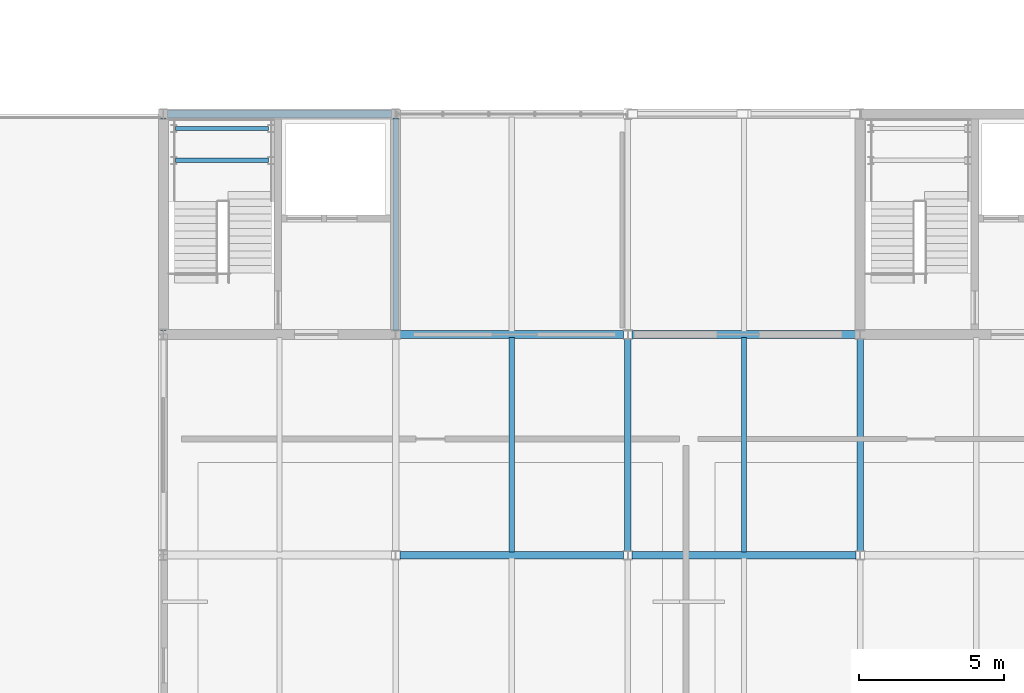
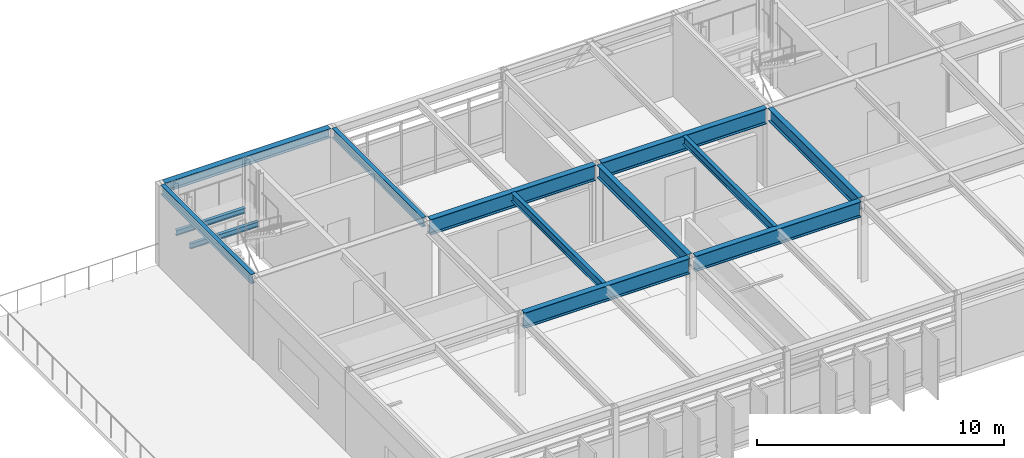
# One storey, part 8 of 21: 13 beams.
"""IFC4 building model written with IfcOpenShell, lengths in metres."""

from ifc_helpers import new_model, si_unit, direction, frame, origin, origin_2d, place, context, subcontext, project, spatial, i_section, extrude, material, material_profile, profile_set, type_object, element, save


model = new_model("IFC4")

# Units and contexts
model_context = context("Model", 3, precision=1e-05, world=origin(), true_north=direction((0.0, 1.0)))
body_context = subcontext(model_context, "Body", "Model", "MODEL_VIEW")
ifc_project = project(units=[si_unit("LENGTHUNIT", "METRE"), si_unit("AREAUNIT", "SQUARE_METRE"), si_unit("VOLUMEUNIT", "CUBIC_METRE"), si_unit("PLANEANGLEUNIT", "RADIAN"), si_unit("MASSUNIT", "GRAM", prefix="KILO")], contexts=[model_context])

# Site, building, storey
site_placement = place(None, origin())
site = spatial("IfcSite", under=ifc_project, at=site_placement, CompositionType="ELEMENT")
building_placement = place(site_placement, origin())
building = spatial("IfcBuilding", under=site, at=building_placement, Name="Zulena Civic Courthouse", CompositionType="ELEMENT")
storey_placement = place(building_placement, frame((0.0, 0.0, 37.800048828125)))
storey = spatial("IfcBuildingStorey", under=building, at=storey_placement, Name="L08", CompositionType="ELEMENT", Elevation=37.800048828125)

# Beams
ifc_material = material(Name="Steel ASTM A992 Grade 50", Category="steel")
ifc_material_profile_1 = material_profile(ifc_material, i_section(OverallWidth=0.22998046875, OverallDepth=0.616943359375, WebThickness=0.01318359375, FlangeThickness=0.022216796875, FilletRadius=0.0126953125, at=origin_2d()), Name="W24X94")
ifc_profile_set_1 = profile_set([ifc_material_profile_1], Name="Steel ASTM A992 Grade 50")
beam_type_1 = type_object("IfcBeamType", Name="Girder_W24X94", PredefinedType="BEAM", material=ifc_profile_set_1)
for number, where, z_axis, x_axis, name in (
    (1, (36.0, 7.7451171875, 3.69140625), (0.0, 1.0, 0.0), (-1.0, 0.0, 0.0), "beam:Y:V2:L08:36.0:7.6_15.2"),
    (2, (44.0, 7.7451171875, 3.69140625), (0.0, 1.0, 0.0), (-1.0, 0.0, 0.0), "beam:Y:V2:L08:44.0:7.6_15.2"),
):
    element("IfcBeam", number, at=place(storey_placement, frame(where, z_axis=z_axis, x_axis=x_axis)), inside=storey, type_object=beam_type_1, Name=name, PredefinedType="BEAM", context=body_context, shape_type="SweptSolid", body=[
        extrude(i_section(OverallWidth=0.22998046875, OverallDepth=0.616943359375, WebThickness=0.01318359375, FlangeThickness=0.022216796875, FilletRadius=0.0126953125, at=origin_2d()), origin(), (0.0, 0.0, 1.0), 7.309814453125),
    ])
ifc_material_profile_2 = material_profile(ifc_material, i_section(OverallWidth=0.26708984375, OverallDepth=0.761962890625, WebThickness=0.014404296875, FlangeThickness=0.021484375, FilletRadius=0.0166015625, at=origin_2d()), Name="W30X116")
ifc_profile_set_2 = profile_set([ifc_material_profile_2], Name="Steel ASTM A992 Grade 50")
beam_type_2 = type_object("IfcBeamType", Name="Girder_W30X116", PredefinedType="BEAM", material=ifc_profile_set_2)
for number, where, z_axis, x_axis, name in (
    (3, (28.14501953125, 7.60009765625, 3.618896484375), (1.0, 0.0, 0.0), (0.0, 1.0, 0.0), "beam:X:V2:L08:7.6:28.0_36.0"),
    (4, (36.14501953125, 7.60009765625, 3.618896484375), (1.0, 0.0, 0.0), (0.0, 1.0, 0.0), "beam:X:V2:L08:7.6:36.0_44.0"),
    (5, (28.14501953125, 15.199951171875, 3.618896484375), (1.0, 0.0, 0.0), (0.0, 1.0, 0.0), "beam:X:V2:L08:15.2:28.0_36.0"),
    (6, (36.14501953125, 15.199951171875, 3.618896484375), (1.0, 0.0, 0.0), (0.0, 1.0, 0.0), "beam:X:V2:L08:15.2:36.0_44.0"),
):
    element("IfcBeam", number, at=place(storey_placement, frame(where, z_axis=z_axis, x_axis=x_axis)), inside=storey, type_object=beam_type_2, Name=name, PredefinedType="BEAM", context=body_context, shape_type="SweptSolid", body=[
        extrude(i_section(OverallWidth=0.26708984375, OverallDepth=0.761962890625, WebThickness=0.014404296875, FlangeThickness=0.021484375, FilletRadius=0.0166015625, at=origin_2d()), origin(), (0.0, 0.0, 1.0), 7.7099609375),
    ])
ifc_material_profile_3 = material_profile(ifc_material, i_section(OverallWidth=0.14599609375, OverallDepth=0.258056640625, WebThickness=0.006103515625, FlangeThickness=0.009033203125, FilletRadius=0.007568359375, at=origin_2d()), Name="W10X22")
ifc_profile_set_3 = profile_set([ifc_material_profile_3], Name="Steel ASTM A992 Grade 50")
beam_type_3 = type_object("IfcBeamType", Name="Joist_W10X22", PredefinedType="JOIST", material=ifc_profile_set_3)
for number, where, z_axis, x_axis, name in (
    (7, (20.419921875, 21.199951171875, 1.69091796875), (1.0, 0.0, 0.0), (0.0, 1.0, 0.0), "beam:lnd:K2A:L08:0"),
    (8, (20.419921875, 22.300048828125, 1.69091796875), (1.0, 0.0, 0.0), (0.0, 1.0, 0.0), "beam:lnd:K2A:L08:1"),
):
    element("IfcBeam", number, at=place(storey_placement, frame(where, z_axis=z_axis, x_axis=x_axis)), inside=storey, type_object=beam_type_3, Name=name, PredefinedType="JOIST", context=body_context, shape_type="SweptSolid", body=[
        extrude(i_section(OverallWidth=0.14599609375, OverallDepth=0.258056640625, WebThickness=0.006103515625, FlangeThickness=0.009033203125, FilletRadius=0.007568359375, at=origin_2d()), origin(), (0.0, 0.0, 1.0), 3.2001953125),
    ])
ifc_material_profile_4 = material_profile(ifc_material, i_section(OverallWidth=0.180908203125, OverallDepth=0.4169921875, WebThickness=0.010986328125, FlangeThickness=0.018310546875, FilletRadius=0.01025390625, at=origin_2d()), Name="W16X57")
ifc_profile_set_4 = profile_set([ifc_material_profile_4], Name="Steel ASTM A992 Grade 50")
beam_type_4 = type_object("IfcBeamType", Name="Joist_W16X57", PredefinedType="JOIST", material=ifc_profile_set_4)
for number, where, z_axis, x_axis, name in (
    (9, (32.0, 7.705078125, 3.79150390625), (0.0, 1.0, 0.0), (-1.0, 0.0, 0.0), "joist:V2:L08:32.00:7.6_15.2"),
    (10, (40.0, 7.705078125, 3.79150390625), (0.0, 1.0, 0.0), (-1.0, 0.0, 0.0), "joist:V2:L08:40.00:7.6_15.2"),
):
    element("IfcBeam", number, at=place(storey_placement, frame(where, z_axis=z_axis, x_axis=x_axis)), inside=storey, type_object=beam_type_4, Name=name, PredefinedType="JOIST", context=body_context, shape_type="SweptSolid", body=[
        extrude(i_section(OverallWidth=0.180908203125, OverallDepth=0.4169921875, WebThickness=0.010986328125, FlangeThickness=0.018310546875, FilletRadius=0.01025390625, at=origin_2d()), origin(), (0.0, 0.0, 1.0), 7.389892578125),
    ])
ifc_material_profile_5 = material_profile(ifc_material, i_section(OverallWidth=0.19091796875, OverallDepth=0.4599609375, WebThickness=0.010009765625, FlangeThickness=0.01611328125, FilletRadius=0.01025390625, at=origin_2d()), Name="W18X55")
ifc_profile_set_5 = profile_set([ifc_material_profile_5], Name="Steel ASTM A992 Grade 50")
beam_type_5 = type_object("IfcBeamType", Name="Spandrel_W18X55", PredefinedType="SPANDREL", material=ifc_profile_set_5)
for number, where, z_axis, x_axis, name in (
    (11, (20.0, 15.344970703125, 3.77001953125), (0.0, 1.0, 0.0), (-1.0, 0.0, 0.0), "beam:Y:V2:L08:20.0:15.2_22.8"),
    (12, (28.0, 15.344970703125, 3.77001953125), (0.0, 1.0, 0.0), (-1.0, 0.0, 0.0), "beam:Y:V2:L08:28.0:15.2_22.8"),
):
    element("IfcBeam", number, at=place(storey_placement, frame(where, z_axis=z_axis, x_axis=x_axis)), inside=storey, type_object=beam_type_5, Name=name, PredefinedType="SPANDREL", context=body_context, shape_type="SweptSolid", body=[
        extrude(i_section(OverallWidth=0.19091796875, OverallDepth=0.4599609375, WebThickness=0.010009765625, FlangeThickness=0.01611328125, FilletRadius=0.01025390625, at=origin_2d()), origin(), (0.0, 0.0, 1.0), 7.31005859375),
    ])
ifc_material_profile_6 = material_profile(ifc_material, i_section(OverallWidth=0.280029296875, OverallDepth=0.462890625, WebThickness=0.0107421875, FlangeThickness=0.017333984375, FilletRadius=0.01025390625, at=origin_2d()), Name="W18X76")
ifc_profile_set_6 = profile_set([ifc_material_profile_6], Name="Steel ASTM A992 Grade 50")
beam_type_6 = type_object("IfcBeamType", Name="Spandrel_W18X76", PredefinedType="SPANDREL", material=ifc_profile_set_6)
beam_placement = place(storey_placement, frame((20.14501953125, 22.800048828125, 3.7685546875), z_axis=(1.0, 0.0, 0.0), x_axis=(0.0, 1.0, 0.0)))
element("IfcBeam", 13, at=beam_placement, inside=storey, type_object=beam_type_6, Name="beam:X:V2:L08:22.8:20.0_28.0", PredefinedType="SPANDREL", context=body_context, shape_type="SweptSolid", body=[
    extrude(i_section(OverallWidth=0.280029296875, OverallDepth=0.462890625, WebThickness=0.0107421875, FlangeThickness=0.017333984375, FilletRadius=0.01025390625, at=origin_2d()), origin(), (0.0, 0.0, 1.0), 7.7099609375),
])

save(model, "model.ifc")
